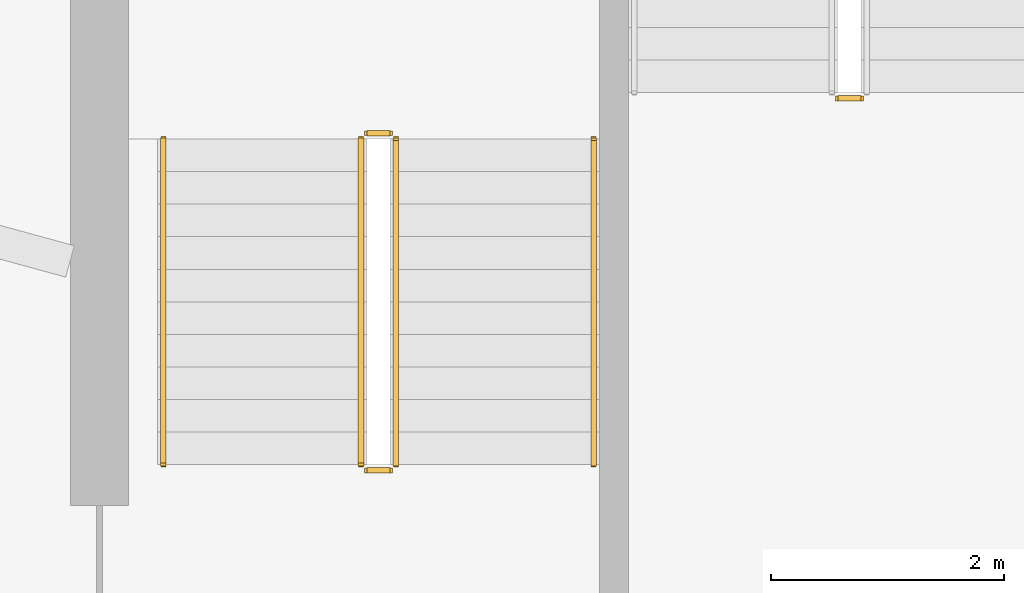
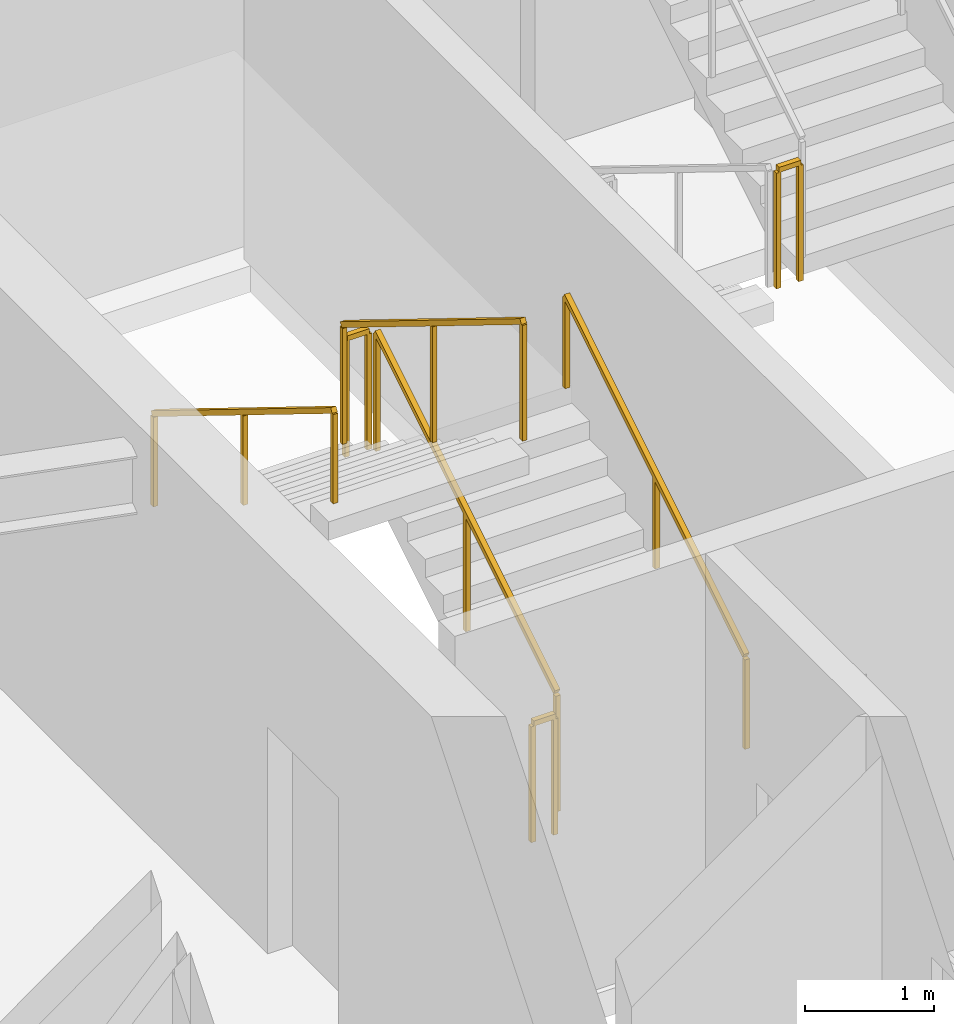
# One storey, part 22 of 24: 7 railings.
"""IFC4 building model written with IfcOpenShell, lengths in metres."""

from ifc_helpers import new_model, si_unit, direction, frame, origin, origin_2d, place, context, subcontext, project, spatial, rectangle, extrude, material, type_object, element, save


model = new_model("IFC4")

# Units and contexts
model_context = context("Model", 3, precision=1e-05, world=origin(), true_north=direction((0.0, 1.0)))
body_context = subcontext(model_context, "Body", "Model", "MODEL_VIEW")
ifc_project = project(units=[si_unit("LENGTHUNIT", "METRE"), si_unit("AREAUNIT", "SQUARE_METRE"), si_unit("VOLUMEUNIT", "CUBIC_METRE"), si_unit("PLANEANGLEUNIT", "RADIAN"), si_unit("MASSUNIT", "GRAM", prefix="KILO")], contexts=[model_context])

# Site, building, storey
site_placement = place(None, origin())
site = spatial("IfcSite", under=ifc_project, at=site_placement, CompositionType="ELEMENT")
building_placement = place(site_placement, origin())
building = spatial("IfcBuilding", under=site, at=building_placement, Name="Zuhravey Tower", CompositionType="ELEMENT")
storey_placement = place(building_placement, frame((0.0, 0.0, 338.60009765625)))
storey = spatial("IfcBuildingStorey", under=building, at=storey_placement, Name="L86", CompositionType="ELEMENT", Elevation=338.60009765625)

# Railings
ifc_material_1 = material(Name="Brushed stainless steel", Category="steel")
railing_type_1 = type_object("IfcRailingType", Name="Stair Wall Handrail 900", PredefinedType="HANDRAIL", material=ifc_material_1)
railing_1_placement = place(storey_placement, frame((29.75, 33.199951171875, 0.172607421875)))
element("IfcRailing", 1, at=railing_1_placement, inside=storey, type_object=railing_type_1, Name="L86 ST1 stair handrail 1", PredefinedType="HANDRAIL", context=body_context, shape_type="SweptSolid", body=[
    extrude(rectangle(XDim=0.048095703125, YDim=0.048095703125, at=origin_2d()), frame((0.0, 0.001708984375, 0.876953125), z_axis=(0.0, 0.851089632645, 0.525020415988), x_axis=(-1.0, 0.0, 0.0)), (0.0, 0.0, 1.0), 3.285888671875),
    extrude(rectangle(XDim=0.0419921875, YDim=0.0419921875, at=origin_2d()), origin(), (0.0, 0.0, 1.0), 0.849853515625),
    extrude(rectangle(XDim=0.0419921875, YDim=0.0419921875, at=origin_2d()), frame((0.0, 1.39990234375, 0.86376953125)), (0.0, 0.0, 1.0), 0.849853515625),
    extrude(rectangle(XDim=0.0419921875, YDim=0.0419921875, at=origin_2d()), frame((0.0, 2.800048828125, 1.727294921875)), (0.0, 0.0, 1.0), 0.849853515625),
])
railing_2_placement = place(storey_placement, frame((26.050048828125, 36.0, 2.072509765625)))
element("IfcRailing", 2, at=railing_2_placement, inside=storey, type_object=railing_type_1, Name="L86 ST1 stair handrail 2", PredefinedType="HANDRAIL", context=body_context, shape_type="SweptSolid", body=[
    extrude(rectangle(XDim=0.048095703125, YDim=0.048095703125, at=origin_2d()), frame((0.0, -0.001708984375, 0.876953125), z_axis=(0.0, -0.851089632645, 0.525020415988), x_axis=(1.0, 0.0, 0.0)), (0.0, 0.0, 1.0), 3.285888671875),
    extrude(rectangle(XDim=0.0419921875, YDim=0.0419921875, at=origin_2d()), origin(), (0.0, 0.0, 1.0), 0.849853515625),
    extrude(rectangle(XDim=0.0419921875, YDim=0.0419921875, at=origin_2d()), frame((0.0, -1.39990234375, 0.86376953125)), (0.0, 0.0, 1.0), 0.849853515625),
    extrude(rectangle(XDim=0.0419921875, YDim=0.0419921875, at=origin_2d()), frame((0.0, -2.800048828125, 1.727294921875)), (0.0, 0.0, 1.0), 0.849853515625),
])
ifc_material_2 = material(Name="Painted tubular steel", Category="steel")
railing_type_2 = type_object("IfcRailingType", Name="Stair Well Guardrail 1150", PredefinedType="GUARDRAIL", material=ifc_material_2)
railing_3_placement = place(storey_placement, frame((28.050048828125, 33.199951171875, 0.172607421875)))
element("IfcRailing", 3, at=railing_3_placement, inside=storey, type_object=railing_type_2, Name="L86 ST1 stair guard 1", PredefinedType="GUARDRAIL", context=body_context, shape_type="SweptSolid", body=[
    extrude(rectangle(XDim=0.048095703125, YDim=0.048095703125, at=origin_2d()), frame((0.0, 0.001708984375, 1.126953125), z_axis=(0.0, 0.851089632645, 0.525020415988), x_axis=(-1.0, 0.0, 0.0)), (0.0, 0.0, 1.0), 3.285888671875),
    extrude(rectangle(XDim=0.0419921875, YDim=0.0419921875, at=origin_2d()), origin(), (0.0, 0.0, 1.0), 1.099853515625),
    extrude(rectangle(XDim=0.0419921875, YDim=0.0419921875, at=origin_2d()), frame((0.0, 1.39990234375, 0.86376953125)), (0.0, 0.0, 1.0), 1.099853515625),
    extrude(rectangle(XDim=0.0419921875, YDim=0.0419921875, at=origin_2d()), frame((0.0, 2.800048828125, 1.727294921875)), (0.0, 0.0, 1.0), 1.099853515625),
])
railing_4_placement = place(storey_placement, frame((28.0, 36.050048828125, 1.89990234375)))
element("IfcRailing", 4, at=railing_4_placement, inside=storey, type_object=railing_type_2, Name="L86 ST1 stair guard 2", PredefinedType="GUARDRAIL", context=body_context, shape_type="SweptSolid", body=[
    extrude(rectangle(XDim=0.048095703125, YDim=0.048095703125, at=origin_2d()), frame((-0.001953125, 0.0, 1.1259765625), z_axis=(-1.0, 0.0, 0.0), x_axis=(0.0, -1.0, 0.0)), (0.0, 0.0, 1.0), 0.196044921875),
    extrude(rectangle(XDim=0.0419921875, YDim=0.0419921875, at=origin_2d()), origin(), (0.0, 0.0, 1.0), 1.099853515625),
    extrude(rectangle(XDim=0.0419921875, YDim=0.0419921875, at=origin_2d()), frame((-0.199951171875, 0.0, 0.0)), (0.0, 0.0, 1.0), 1.099853515625),
])
railing_5_placement = place(storey_placement, frame((27.75, 36.0, 2.072509765625)))
element("IfcRailing", 5, at=railing_5_placement, inside=storey, type_object=railing_type_2, Name="L86 ST1 stair guard 3", PredefinedType="GUARDRAIL", context=body_context, shape_type="SweptSolid", body=[
    extrude(rectangle(XDim=0.048095703125, YDim=0.048095703125, at=origin_2d()), frame((0.0, -0.001708984375, 1.126953125), z_axis=(0.0, -0.851089632645, 0.525020415988), x_axis=(1.0, 0.0, 0.0)), (0.0, 0.0, 1.0), 3.285888671875),
    extrude(rectangle(XDim=0.0419921875, YDim=0.0419921875, at=origin_2d()), origin(), (0.0, 0.0, 1.0), 1.099853515625),
    extrude(rectangle(XDim=0.0419921875, YDim=0.0419921875, at=origin_2d()), frame((0.0, -1.39990234375, 0.86376953125)), (0.0, 0.0, 1.0), 1.099853515625),
    extrude(rectangle(XDim=0.0419921875, YDim=0.0419921875, at=origin_2d()), frame((0.0, -2.800048828125, 1.727294921875)), (0.0, 0.0, 1.0), 1.099853515625),
])
railing_6_placement = place(storey_placement, frame((28.0, 33.14990234375, 0.0)))
element("IfcRailing", 6, at=railing_6_placement, inside=storey, type_object=railing_type_2, Name="L86 ST1 stair guard 4", PredefinedType="GUARDRAIL", context=body_context, shape_type="SweptSolid", body=[
    extrude(rectangle(XDim=0.048095703125, YDim=0.048095703125, at=origin_2d()), frame((-0.001953125, 0.0, 1.1259765625), z_axis=(-1.0, 0.0, 0.0), x_axis=(0.0, -1.0, 0.0)), (0.0, 0.0, 1.0), 0.196044921875),
    extrude(rectangle(XDim=0.0419921875, YDim=0.0419921875, at=origin_2d()), origin(), (0.0, 0.0, 1.0), 1.099853515625),
    extrude(rectangle(XDim=0.0419921875, YDim=0.0419921875, at=origin_2d()), frame((-0.199951171875, 0.0, 0.0)), (0.0, 0.0, 1.0), 1.099853515625),
])
railing_7_placement = place(storey_placement, frame((31.85009765625, 36.35009765625, 1.89990234375)))
element("IfcRailing", 7, at=railing_7_placement, inside=storey, type_object=railing_type_2, Name="L86 ST3 stair guard 2", PredefinedType="GUARDRAIL", context=body_context, shape_type="SweptSolid", body=[
    extrude(rectangle(XDim=0.048095703125, YDim=0.048095703125, at=origin_2d()), frame((0.001953125, 0.0, 1.1259765625), z_axis=(1.0, 0.0, 0.0), x_axis=(0.0, 1.0, 0.0)), (0.0, 0.0, 1.0), 0.196044921875),
    extrude(rectangle(XDim=0.0419921875, YDim=0.0419921875, at=origin_2d()), origin(), (0.0, 0.0, 1.0), 1.099853515625),
    extrude(rectangle(XDim=0.0419921875, YDim=0.0419921875, at=origin_2d()), frame((0.199951171875, 0.0, 0.0)), (0.0, 0.0, 1.0), 1.099853515625),
])

save(model, "model.ifc")
